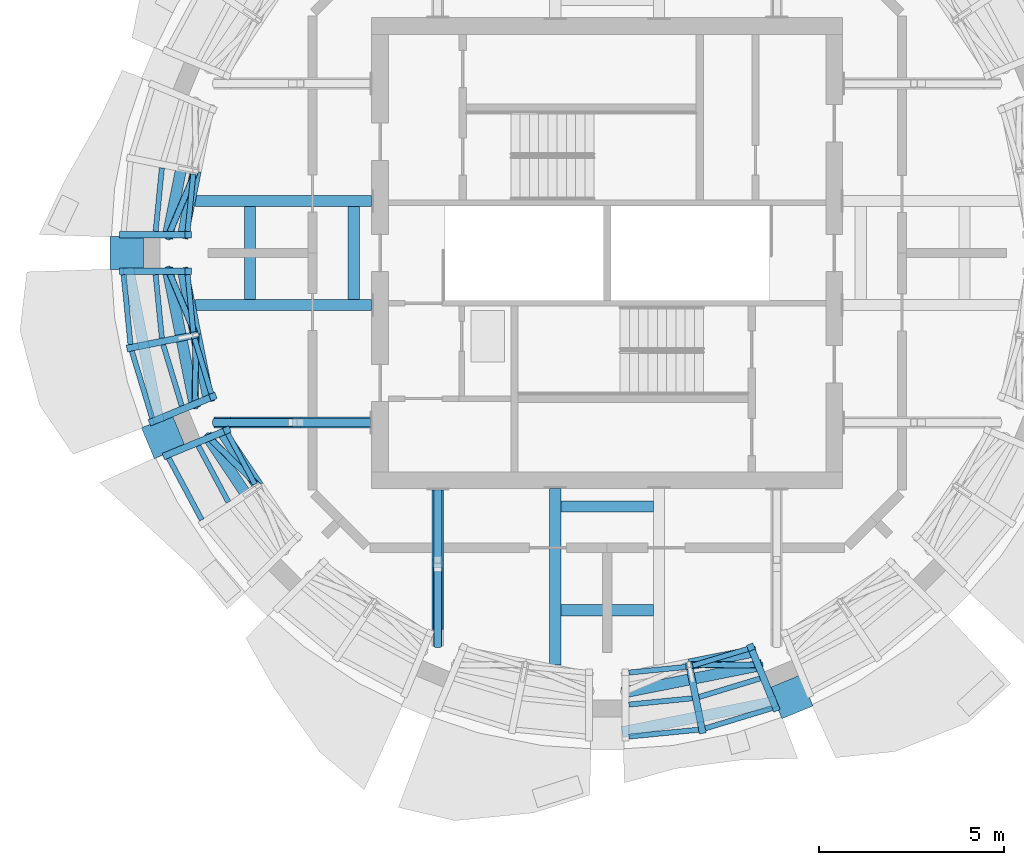
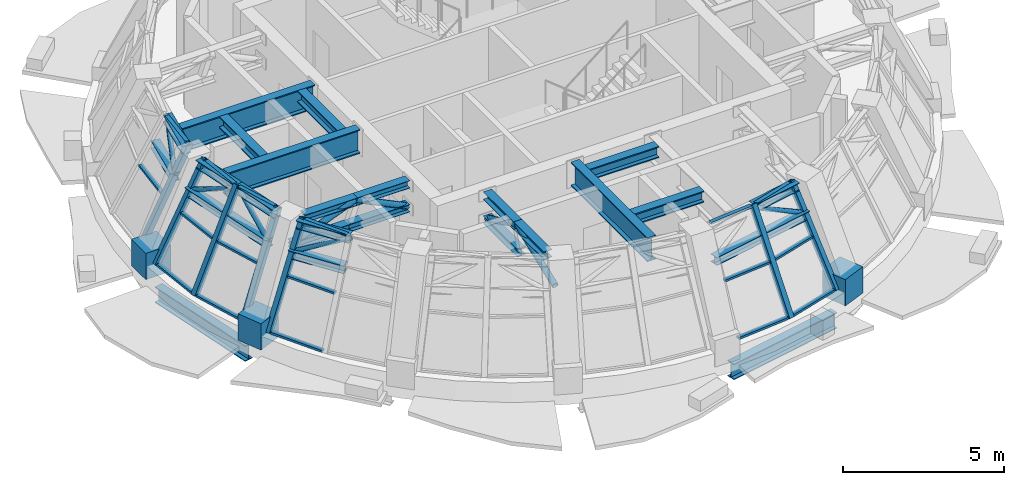
# One storey, part 2 of 12: 54 members, 9 beams, 4 elements without a shape of their own.
"""IFC4 building model written with IfcOpenShell, lengths in metres."""

from ifc_helpers import new_model, si_unit, direction, frame, origin, origin_2d, place, context, subcontext, project, spatial, rectangle, hollow_circle, i_section, extrude, material, material_profile, profile_set, type_object, element, aggregate, save


model = new_model("IFC4")

# Units and contexts
model_context = context("Model", 3, precision=1e-05, world=origin(), true_north=direction((0.0, 1.0)))
body_context = subcontext(model_context, "Body", "Model", "MODEL_VIEW")
ifc_project = project(units=[si_unit("LENGTHUNIT", "METRE"), si_unit("AREAUNIT", "SQUARE_METRE"), si_unit("VOLUMEUNIT", "CUBIC_METRE"), si_unit("PLANEANGLEUNIT", "RADIAN"), si_unit("MASSUNIT", "GRAM", prefix="KILO")], contexts=[model_context])

# Site, building, storey
site_placement = place(None, origin())
site = spatial("IfcSite", under=ifc_project, at=site_placement, CompositionType="ELEMENT")
building_placement = place(site_placement, origin())
building = spatial("IfcBuilding", under=site, at=building_placement, Name="Polderwave Tower", CompositionType="ELEMENT")
storey_placement = place(building_placement, frame((0.0, 0.0, 235.39990234375)))
storey = spatial("IfcBuildingStorey", under=building, at=storey_placement, Name="L64", CompositionType="ELEMENT", Elevation=235.39990234375)

# Members
ifc_material_1 = material(Name="Steel S460", Category="steel")
ifc_material_profile_1 = material_profile(ifc_material_1, i_section(OverallWidth=0.300048828125, OverallDepth=0.300048828125, WebThickness=0.010986328125, FlangeThickness=0.01904296875, at=origin_2d()), Name="HE 300 B")
ifc_profile_set_1 = profile_set([ifc_material_profile_1], Name="Steel S460")
member_type_1 = type_object("IfcMemberType", Name="BELT CHORD HE 300 B", PredefinedType="CHORD", material=ifc_profile_set_1)
member_1_placement = place(storey_placement, frame((-11.098388671875, 2.20751953125, 3.25), z_axis=(-0.195122538865, -0.980778871524, 0.0), x_axis=(0.980778871524, -0.195122538865, 0.0)))
element("IfcMember", 1, at=member_1_placement, inside=storey, type_object=member_type_1, Name="ST-BT-L64-07-TC2", PredefinedType="CHORD", context=body_context, shape_type="SweptSolid", body=[
    extrude(i_section(OverallWidth=0.300048828125, OverallDepth=0.300048828125, WebThickness=0.010986328125, FlangeThickness=0.01904296875, at=origin_2d()), origin(), (0.0, 0.0, 1.0), 1.843017578125),
])
member_2_placement = place(storey_placement, frame((-11.488037109375, 2.28515625, 2.35009765625), z_axis=(-0.195090163074, -0.980785312019, 0.0), x_axis=(0.980785312019, -0.195090163074, 0.0)))
element("IfcMember", 2, at=member_2_placement, inside=storey, type_object=member_type_1, Name="ST-BT-L64-07-BC2", PredefinedType="CHORD", context=body_context, shape_type="SweptSolid", body=[
    extrude(i_section(OverallWidth=0.300048828125, OverallDepth=0.300048828125, WebThickness=0.010986328125, FlangeThickness=0.01904296875, at=origin_2d()), origin(), (0.0, 0.0, 1.0), 1.922119140625),
])
member_3_placement = place(storey_placement, frame((-11.4580078125, -0.39990234375, 3.25), z_axis=(0.195122538865, -0.980778871524, 0.0), x_axis=(0.980778871524, 0.195122538865, 0.0)))
element("IfcMember", 3, at=member_3_placement, inside=storey, type_object=member_type_1, Name="ST-BT-L64-08-TC1", PredefinedType="CHORD", context=body_context, shape_type="SweptSolid", body=[
    extrude(i_section(OverallWidth=0.300048828125, OverallDepth=0.300048828125, WebThickness=0.010986328125, FlangeThickness=0.01904296875, at=origin_2d()), origin(), (0.0, 0.0, 1.0), 1.843017578125),
])
member_4_placement = place(storey_placement, frame((-11.863037109375, -0.39990234375, 2.35009765625), z_axis=(0.195090163074, -0.980785312019, 0.0), x_axis=(0.980785312019, 0.195090163074, 0.0)))
element("IfcMember", 4, at=member_4_placement, inside=storey, type_object=member_type_1, Name="ST-BT-L64-08-BC1", PredefinedType="CHORD", context=body_context, shape_type="SweptSolid", body=[
    extrude(i_section(OverallWidth=0.300048828125, OverallDepth=0.300048828125, WebThickness=0.010986328125, FlangeThickness=0.01904296875, at=origin_2d()), origin(), (0.0, 0.0, 1.0), 1.922119140625),
])
member_5_placement = place(storey_placement, frame((-11.098388671875, -2.20751953125, 3.25), z_axis=(0.195122538865, -0.980778871524, 0.0), x_axis=(0.980778871524, 0.195122538865, 0.0)))
element("IfcMember", 5, at=member_5_placement, inside=storey, type_object=member_type_1, Name="ST-BT-L64-08-TC2", PredefinedType="CHORD", context=body_context, shape_type="SweptSolid", body=[
    extrude(i_section(OverallWidth=0.300048828125, OverallDepth=0.300048828125, WebThickness=0.010986328125, FlangeThickness=0.01904296875, at=origin_2d()), origin(), (0.0, 0.0, 1.0), 1.843017578125),
])
member_6_placement = place(storey_placement, frame((-11.488037109375, -2.28515625, 2.35009765625), z_axis=(0.195114468684, -0.980780477023, 0.0), x_axis=(0.980780477023, 0.195114468684, 0.0)))
element("IfcMember", 6, at=member_6_placement, inside=storey, type_object=member_type_1, Name="ST-BT-L64-08-BC2", PredefinedType="CHORD", context=body_context, shape_type="SweptSolid", body=[
    extrude(i_section(OverallWidth=0.300048828125, OverallDepth=0.300048828125, WebThickness=0.010986328125, FlangeThickness=0.01904296875, at=origin_2d()), origin(), (0.0, 0.0, 1.0), 1.921875),
])
member_7_placement = place(storey_placement, frame((-10.4326171875, -4.75439453125, 3.25), z_axis=(0.555617021697, -0.831438347203, 0.0), x_axis=(0.831438347203, 0.555617021697, 0.0)))
element("IfcMember", 7, at=member_7_placement, inside=storey, type_object=member_type_1, Name="ST-BT-L64-09-TC1", PredefinedType="CHORD", context=body_context, shape_type="SweptSolid", body=[
    extrude(i_section(OverallWidth=0.300048828125, OverallDepth=0.300048828125, WebThickness=0.010986328125, FlangeThickness=0.01904296875, at=origin_2d()), origin(), (0.0, 0.0, 1.0), 1.8427734375),
])
for number, where, z_axis, x_axis, name in (
    (8, (-10.806884765625, -4.9091796875, 2.35009765625), (0.555579245802, -0.831463590083, 0.0), (0.831463590083, 0.555579245802, 0.0), "ST-BT-L64-09-BC1"),
    (9, (0.39990234375, -11.863037109375, 2.35009765625), (0.980785312019, 0.195090163074, 0.0), (-0.195090163074, 0.980785312019, 0.0), "ST-BT-L64-12-BC1"),
):
    element("IfcMember", number, at=place(storey_placement, frame(where, z_axis=z_axis, x_axis=x_axis)), inside=storey, type_object=member_type_1, Name=name, PredefinedType="CHORD", context=body_context, shape_type="SweptSolid", body=[
        extrude(i_section(OverallWidth=0.300048828125, OverallDepth=0.300048828125, WebThickness=0.010986328125, FlangeThickness=0.01904296875, at=origin_2d()), origin(), (0.0, 0.0, 1.0), 1.922119140625),
    ])
member_8_placement = place(storey_placement, frame((2.20751953125, -11.098388671875, 3.25), z_axis=(0.980778871524, 0.195122538865, 0.0), x_axis=(-0.195122538865, 0.980778871524, 0.0)))
element("IfcMember", 10, at=member_8_placement, inside=storey, type_object=member_type_1, Name="ST-BT-L64-12-TC2", PredefinedType="CHORD", context=body_context, shape_type="SweptSolid", body=[
    extrude(i_section(OverallWidth=0.300048828125, OverallDepth=0.300048828125, WebThickness=0.010986328125, FlangeThickness=0.01904296875, at=origin_2d()), origin(), (0.0, 0.0, 1.0), 1.843017578125),
])
member_9_placement = place(storey_placement, frame((2.28515625, -11.488037109375, 2.35009765625), z_axis=(0.980780477023, 0.195114468684, 0.0), x_axis=(-0.195114468684, 0.980780477023, 0.0)))
element("IfcMember", 11, at=member_9_placement, inside=storey, type_object=member_type_1, Name="ST-BT-L64-12-BC2", PredefinedType="CHORD", context=body_context, shape_type="SweptSolid", body=[
    extrude(i_section(OverallWidth=0.300048828125, OverallDepth=0.300048828125, WebThickness=0.010986328125, FlangeThickness=0.01904296875, at=origin_2d()), origin(), (0.0, 0.0, 1.0), 1.921875),
])
ifc_material_profile_2 = material_profile(ifc_material_1, hollow_circle(Radius=0.084228515625, WallThickness=0.008056640625, at=origin_2d()), Name="CHS 168.3x8")
ifc_profile_set_2 = profile_set([ifc_material_profile_2], Name="Steel S460")
member_type_2 = type_object("IfcMemberType", Name="BELT DIAGONAL CHS 168.3x8", PredefinedType="BRACE", material=ifc_profile_set_2)
for number, where, z_axis, x_axis, name in (
    (12, (-11.098388671875, 2.20751953125, 3.25), (-0.354140889164, -0.837183634537, -0.416782668409), (0.920987851483, -0.38959129536, 0.0), "ST-BT-L64-07-D2"),
    (13, (-11.863037109375, -0.39990234375, 2.35009765625), (0.354140889164, -0.837183634537, 0.416782668409), (0.920987851483, 0.38959129536, 0.0), "ST-BT-L64-08-D1"),
    (14, (-11.098388671875, -2.20751953125, 3.25), (-0.006784287361, -0.908981434905, -0.416781386872), (0.99997214839, -0.007463407004, 0.0), "ST-BT-L64-08-D2"),
    (15, (-10.806884765625, -4.9091796875, 2.35009765625), (0.647553721279, -0.637942744099, 0.416777198644), (0.701800503553, 0.71237353489, 0.0), "ST-BT-L64-09-D1"),
    (16, (2.20751953125, -11.098388671875, 3.25), (0.908981434905, -0.006784287361, -0.416781386872), (0.007463407004, 0.99997214839, 0.0), "ST-BT-L64-12-D2"),
):
    element("IfcMember", number, at=place(storey_placement, frame(where, z_axis=z_axis, x_axis=x_axis)), inside=storey, type_object=member_type_2, Name=name, PredefinedType="BRACE", context=body_context, shape_type="SweptSolid", body=[
        extrude(hollow_circle(Radius=0.084228515625, WallThickness=0.008056640625, at=origin_2d()), origin(), (0.0, 0.0, 1.0), 2.1591796875),
    ])

# Curtain wall, member
ifc_material_2 = material(Name="Aluminium 6063-T6 and glass", Category="aluminium")
curtain_wall_type = type_object("IfcCurtainWallType", Name="Crown facet glazing wall", PredefinedType="NOTDEFINED", material=ifc_material_2)
curtain_wall_1_placement = place(storey_placement, origin())
curtain_wall_1 = element("IfcCurtainWall", 17, at=curtain_wall_1_placement, inside=storey, type_object=curtain_wall_type, Name="CROWN CW6 L64 07", PredefinedType="NOTDEFINED")
ifc_material_3 = material(Name="Aluminium 6063-T6", Category="aluminium")
ifc_material_profile_3 = material_profile(ifc_material_3, rectangle(XDim=0.18505859375, YDim=0.199951171875, at=origin_2d()), Name="AL 185x200")
ifc_profile_set_3 = profile_set([ifc_material_profile_3], Name="Aluminium 6063-T6")
member_type_3 = type_object("IfcMemberType", Name="Crown facet glazing mullion 185x200", PredefinedType="MULLION", material=ifc_profile_set_3)
member_10_placement = place(storey_placement, frame((-13.071044921875, 0.4921875, 0.0), z_axis=(0.461150112865, 0.0, 0.887322136208), x_axis=(0.0, 1.0, 0.0)))
member_10 = element("IfcMember", 18, at=member_10_placement, type_object=member_type_3, Name="CW6 mullion 3", PredefinedType="MULLION", context=body_context, shape_type="SweptSolid", body=[
    extrude(rectangle(XDim=0.18505859375, YDim=0.199951171875, at=origin_2d()), origin(), (0.0, 0.0, 1.0), 3.83203125),
])

# Curtain wall, members
curtain_wall_2_placement = place(storey_placement, origin())
curtain_wall_2 = element("IfcCurtainWall", 19, at=curtain_wall_2_placement, inside=storey, type_object=curtain_wall_type, Name="CROWN CW6 L64 08", PredefinedType="NOTDEFINED")
member_11_placement = place(storey_placement, frame((-13.071044921875, -0.4921875, 0.0), z_axis=(0.461150112865, 0.0, 0.887322136208), x_axis=(0.0, 1.0, 0.0)))
member_11 = element("IfcMember", 20, at=member_11_placement, type_object=member_type_3, Name="CW6 mullion 1", PredefinedType="MULLION", context=body_context, shape_type="SweptSolid", body=[
    extrude(rectangle(XDim=0.18505859375, YDim=0.199951171875, at=origin_2d()), origin(), (0.0, 0.0, 1.0), 3.83203125),
])
member_12_placement = place(storey_placement, frame((-12.867919921875, -2.56005859375, 0.0), z_axis=(0.452442689368, 0.090017110684, 0.88723871231), x_axis=(-0.195133411565, 0.980776708375, 0.0)))
member_12 = element("IfcMember", 21, at=member_12_placement, type_object=member_type_3, Name="CW6 mullion 2", PredefinedType="MULLION", context=body_context, shape_type="SweptSolid", body=[
    extrude(rectangle(XDim=0.18505859375, YDim=0.199951171875, at=origin_2d()), origin(), (0.0, 0.0, 1.0), 3.832275390625),
])
member_13_placement = place(storey_placement, frame((-12.264892578125, -4.547607421875, 0.0), z_axis=(0.426153481267, 0.176411868684, 0.887283530215), x_axis=(-0.382485993567, 0.923961289625, 0.0)))
member_13 = element("IfcMember", 22, at=member_13_placement, type_object=member_type_3, Name="CW6 mullion 3", PredefinedType="MULLION", context=body_context, shape_type="SweptSolid", body=[
    extrude(rectangle(XDim=0.18505859375, YDim=0.199951171875, at=origin_2d()), origin(), (0.0, 0.0, 1.0), 3.83203125),
])

# Curtain wall, member
curtain_wall_3_placement = place(storey_placement, origin())
curtain_wall_3 = element("IfcCurtainWall", 23, at=curtain_wall_3_placement, inside=storey, type_object=curtain_wall_type, Name="CROWN CW6 L64 09", PredefinedType="NOTDEFINED")
member_14_placement = place(storey_placement, frame((-11.888427734375, -5.45654296875, 0.0), z_axis=(0.426153481267, 0.176411868684, 0.887283530215), x_axis=(-0.382485993567, 0.923961289625, 0.0)))
member_14 = element("IfcMember", 24, at=member_14_placement, type_object=member_type_3, Name="CW6 mullion 1", PredefinedType="MULLION", context=body_context, shape_type="SweptSolid", body=[
    extrude(rectangle(XDim=0.18505859375, YDim=0.199951171875, at=origin_2d()), origin(), (0.0, 0.0, 1.0), 3.83203125),
])

# Curtain wall, members
curtain_wall_4_placement = place(storey_placement, origin())
curtain_wall_4 = element("IfcCurtainWall", 25, at=curtain_wall_4_placement, inside=storey, type_object=curtain_wall_type, Name="CROWN CW6 L64 12", PredefinedType="NOTDEFINED")
member_15_placement = place(storey_placement, frame((2.56005859375, -12.867919921875, 0.0), z_axis=(-0.090017110684, 0.452442689368, 0.88723871231), x_axis=(-0.980776708375, -0.195133411565, 0.0)))
member_15 = element("IfcMember", 26, at=member_15_placement, type_object=member_type_3, Name="CW6 mullion 2", PredefinedType="MULLION", context=body_context, shape_type="SweptSolid", body=[
    extrude(rectangle(XDim=0.18505859375, YDim=0.199951171875, at=origin_2d()), origin(), (0.0, 0.0, 1.0), 3.832275390625),
])
member_16_placement = place(storey_placement, frame((4.547607421875, -12.264892578125, 0.0), z_axis=(-0.176411868684, 0.426153481267, 0.887283530215), x_axis=(-0.923961289625, -0.382485993567, 0.0)))
member_16 = element("IfcMember", 27, at=member_16_placement, type_object=member_type_3, Name="CW6 mullion 3", PredefinedType="MULLION", context=body_context, shape_type="SweptSolid", body=[
    extrude(rectangle(XDim=0.18505859375, YDim=0.199951171875, at=origin_2d()), origin(), (0.0, 0.0, 1.0), 3.83203125),
])

# Member
ifc_material_profile_4 = material_profile(ifc_material_3, rectangle(XDim=0.139892578125, YDim=0.080078125, at=origin_2d()), Name="AL 80x140")
ifc_profile_set_4 = profile_set([ifc_material_profile_4], Name="Aluminium 6063-T6")
member_type_4 = type_object("IfcMemberType", Name="Crown facet glazing transom 80x140", PredefinedType="USERDEFINED", material=ifc_profile_set_4)
member_17_placement = place(storey_placement, frame((-12.010009765625, 2.29541015625, 1.7001953125), z_axis=(-0.097957420635, -0.99519060674, 0.0), x_axis=(0.99519060674, -0.097957420635, 0.0)))
member_17 = element("IfcMember", 28, at=member_17_placement, type_object=member_type_4, Name="CW6 transom 5", ObjectType="TRANSOM", PredefinedType="USERDEFINED", context=body_context, shape_type="SweptSolid", body=[
    extrude(rectangle(XDim=0.139892578125, YDim=0.080078125, at=origin_2d()), origin(), (0.0, 0.0, 1.0), 1.7197265625),
])

member_18_placement = place(storey_placement, frame((-11.163330078125, 2.126953125, 3.360107421875), z_axis=(-0.098256415474, -0.995161131083, 0.0), x_axis=(0.995161131083, -0.098256415474, 0.0)))
member_18 = element("IfcMember", 29, at=member_18_placement, type_object=member_type_4, Name="CW6 transom 6", ObjectType="TRANSOM", PredefinedType="USERDEFINED", context=body_context, shape_type="SweptSolid", body=[
    extrude(rectangle(XDim=0.139892578125, YDim=0.080078125, at=origin_2d()), origin(), (0.0, 0.0, 1.0), 1.550537109375),
])

aggregate(curtain_wall_1, [member_10, member_17, member_18])

member_19_placement = place(storey_placement, frame((-13.041015625, -0.583984375, 0.0400390625), z_axis=(0.097583974986, -0.995227294554, 0.0), x_axis=(0.995227294554, 0.097583974986, 0.0)))
member_19 = element("IfcMember", 30, at=member_19_placement, type_object=member_type_4, Name="CW6 transom 1", ObjectType="TRANSOM", PredefinedType="USERDEFINED", context=body_context, shape_type="SweptSolid", body=[
    extrude(rectangle(XDim=0.139892578125, YDim=0.080078125, at=origin_2d()), origin(), (0.0, 0.0, 1.0), 1.888916015625),
])

member_20_placement = place(storey_placement, frame((-12.178466796875, -0.583984375, 1.7001953125), z_axis=(0.097957420635, -0.99519060674, 0.0), x_axis=(0.99519060674, 0.097957420635, 0.0)))
member_20 = element("IfcMember", 31, at=member_20_placement, type_object=member_type_4, Name="CW6 transom 2", ObjectType="TRANSOM", PredefinedType="USERDEFINED", context=body_context, shape_type="SweptSolid", body=[
    extrude(rectangle(XDim=0.139892578125, YDim=0.080078125, at=origin_2d()), origin(), (0.0, 0.0, 1.0), 1.7197265625),
])

member_21_placement = place(storey_placement, frame((-11.315673828125, -0.583984375, 3.360107421875), z_axis=(0.098256415474, -0.995161131083, 0.0), x_axis=(0.995161131083, 0.098256415474, 0.0)))
member_21 = element("IfcMember", 32, at=member_21_placement, type_object=member_type_4, Name="CW6 transom 3", ObjectType="TRANSOM", PredefinedType="USERDEFINED", context=body_context, shape_type="SweptSolid", body=[
    extrude(rectangle(XDim=0.139892578125, YDim=0.080078125, at=origin_2d()), origin(), (0.0, 0.0, 1.0), 1.550537109375),
])

member_22_placement = place(storey_placement, frame((-12.82080078125, -2.64453125, 0.0400390625), z_axis=(0.290466801867, -0.956885069908, 0.0), x_axis=(0.956885069908, 0.290466801867, 0.0)))
member_22 = element("IfcMember", 33, at=member_22_placement, type_object=member_type_4, Name="CW6 transom 4", ObjectType="TRANSOM", PredefinedType="USERDEFINED", context=body_context, shape_type="SweptSolid", body=[
    extrude(rectangle(XDim=0.139892578125, YDim=0.080078125, at=origin_2d()), origin(), (0.0, 0.0, 1.0), 1.8876953125),
])

member_23_placement = place(storey_placement, frame((-11.97412109375, -2.47607421875, 1.7001953125), z_axis=(0.290291185896, -0.956938361333, 0.0), x_axis=(0.956938361333, 0.290291185896, 0.0)))
member_23 = element("IfcMember", 34, at=member_23_placement, type_object=member_type_4, Name="CW6 transom 5", ObjectType="TRANSOM", PredefinedType="USERDEFINED", context=body_context, shape_type="SweptSolid", body=[
    extrude(rectangle(XDim=0.139892578125, YDim=0.080078125, at=origin_2d()), origin(), (0.0, 0.0, 1.0), 1.718994140625),
])

member_24_placement = place(storey_placement, frame((-11.12744140625, -2.3076171875, 3.360107421875), z_axis=(0.289976793855, -0.957033677059, 0.0), x_axis=(0.957033677059, 0.289976793855, 0.0)))
member_24 = element("IfcMember", 35, at=member_24_placement, type_object=member_type_4, Name="CW6 transom 6", ObjectType="TRANSOM", PredefinedType="USERDEFINED", context=body_context, shape_type="SweptSolid", body=[
    extrude(rectangle(XDim=0.139892578125, YDim=0.080078125, at=origin_2d()), origin(), (0.0, 0.0, 1.0), 1.550048828125),
])

aggregate(curtain_wall_2, [member_11, member_12, member_13, member_19, member_20, member_21, member_22, member_23, member_24])

member_25_placement = place(storey_placement, frame((-11.82568359375, -5.5302734375, 0.0400390625), z_axis=(0.471453547144, -0.881890896248, 0.0), x_axis=(0.881890896248, 0.471453547144, 0.0)))
member_25 = element("IfcMember", 36, at=member_25_placement, type_object=member_type_4, Name="CW6 transom 1", ObjectType="TRANSOM", PredefinedType="USERDEFINED", context=body_context, shape_type="SweptSolid", body=[
    extrude(rectangle(XDim=0.139892578125, YDim=0.080078125, at=origin_2d()), origin(), (0.0, 0.0, 1.0), 1.888671875),
])

member_26_placement = place(storey_placement, frame((-11.0283203125, -5.2001953125, 1.7001953125), z_axis=(0.471582920737, -0.881821721704, 0.0), x_axis=(0.881821721704, 0.471582920737, 0.0)))
member_26 = element("IfcMember", 37, at=member_26_placement, type_object=member_type_4, Name="CW6 transom 2", ObjectType="TRANSOM", PredefinedType="USERDEFINED", context=body_context, shape_type="SweptSolid", body=[
    extrude(rectangle(XDim=0.139892578125, YDim=0.080078125, at=origin_2d()), origin(), (0.0, 0.0, 1.0), 1.71923828125),
])

member_27_placement = place(storey_placement, frame((-10.23095703125, -4.8701171875, 3.360107421875), z_axis=(0.471552568485, -0.881837952889, 0.0), x_axis=(0.881837952889, 0.471552568485, 0.0)))
member_27 = element("IfcMember", 38, at=member_27_placement, type_object=member_type_4, Name="CW6 transom 3", ObjectType="TRANSOM", PredefinedType="USERDEFINED", context=body_context, shape_type="SweptSolid", body=[
    extrude(rectangle(XDim=0.139892578125, YDim=0.080078125, at=origin_2d()), origin(), (0.0, 0.0, 1.0), 1.550048828125),
])

aggregate(curtain_wall_3, [member_14, member_25, member_26, member_27])

member_28_placement = place(storey_placement, frame((0.583984375, -13.041015625, 0.0400390625), z_axis=(0.995227294554, 0.097583974986, 0.0), x_axis=(-0.097583974986, 0.995227294554, 0.0)))
member_28 = element("IfcMember", 39, at=member_28_placement, type_object=member_type_4, Name="CW6 transom 1", ObjectType="TRANSOM", PredefinedType="USERDEFINED", context=body_context, shape_type="SweptSolid", body=[
    extrude(rectangle(XDim=0.139892578125, YDim=0.080078125, at=origin_2d()), origin(), (0.0, 0.0, 1.0), 1.888916015625),
])

member_29_placement = place(storey_placement, frame((0.583984375, -12.178466796875, 1.7001953125), z_axis=(0.99519060674, 0.097957420635, 0.0), x_axis=(-0.097957420635, 0.99519060674, 0.0)))
member_29 = element("IfcMember", 40, at=member_29_placement, type_object=member_type_4, Name="CW6 transom 2", ObjectType="TRANSOM", PredefinedType="USERDEFINED", context=body_context, shape_type="SweptSolid", body=[
    extrude(rectangle(XDim=0.139892578125, YDim=0.080078125, at=origin_2d()), origin(), (0.0, 0.0, 1.0), 1.7197265625),
])

member_30_placement = place(storey_placement, frame((0.583984375, -11.315673828125, 3.360107421875), z_axis=(0.995161131083, 0.098256415474, 0.0), x_axis=(-0.098256415474, 0.995161131083, 0.0)))
member_30 = element("IfcMember", 41, at=member_30_placement, type_object=member_type_4, Name="CW6 transom 3", ObjectType="TRANSOM", PredefinedType="USERDEFINED", context=body_context, shape_type="SweptSolid", body=[
    extrude(rectangle(XDim=0.139892578125, YDim=0.080078125, at=origin_2d()), origin(), (0.0, 0.0, 1.0), 1.550537109375),
])

member_31_placement = place(storey_placement, frame((2.64453125, -12.82080078125, 0.0400390625), z_axis=(0.956885069908, 0.290466801867, 0.0), x_axis=(-0.290466801867, 0.956885069908, 0.0)))
member_31 = element("IfcMember", 42, at=member_31_placement, type_object=member_type_4, Name="CW6 transom 4", ObjectType="TRANSOM", PredefinedType="USERDEFINED", context=body_context, shape_type="SweptSolid", body=[
    extrude(rectangle(XDim=0.139892578125, YDim=0.080078125, at=origin_2d()), origin(), (0.0, 0.0, 1.0), 1.8876953125),
])

member_32_placement = place(storey_placement, frame((2.47607421875, -11.97412109375, 1.7001953125), z_axis=(0.956938361333, 0.290291185896, 0.0), x_axis=(-0.290291185896, 0.956938361333, 0.0)))
member_32 = element("IfcMember", 43, at=member_32_placement, type_object=member_type_4, Name="CW6 transom 5", ObjectType="TRANSOM", PredefinedType="USERDEFINED", context=body_context, shape_type="SweptSolid", body=[
    extrude(rectangle(XDim=0.139892578125, YDim=0.080078125, at=origin_2d()), origin(), (0.0, 0.0, 1.0), 1.718994140625),
])

member_33_placement = place(storey_placement, frame((2.3076171875, -11.12744140625, 3.360107421875), z_axis=(0.957033677059, 0.289976793855, 0.0), x_axis=(-0.289976793855, 0.957033677059, 0.0)))
member_33 = element("IfcMember", 44, at=member_33_placement, type_object=member_type_4, Name="CW6 transom 6", ObjectType="TRANSOM", PredefinedType="USERDEFINED", context=body_context, shape_type="SweptSolid", body=[
    extrude(rectangle(XDim=0.139892578125, YDim=0.080078125, at=origin_2d()), origin(), (0.0, 0.0, 1.0), 1.550048828125),
])

aggregate(curtain_wall_4, [member_15, member_16, member_28, member_29, member_30, member_31, member_32, member_33])

# Beams
ifc_material_profile_5 = material_profile(ifc_material_1, i_section(OverallWidth=0.302001953125, OverallDepth=0.909912109375, WebThickness=0.02099609375, FlangeThickness=0.0400390625, at=origin_2d()), Name="HE 900 M")
ifc_profile_set_5 = profile_set([ifc_material_profile_5], Name="Steel S460")
beam_type_1 = type_object("IfcBeamType", Name="DAMPER SUPPORT BEAM HE 900 M", PredefinedType="BEAM", material=ifc_profile_set_5)
for number, where, z_axis, x_axis, name in (
    (45, (-6.35009765625, 1.39990234375, 2.945068359375), (-1.0, 0.0, 0.0), (0.0, -1.0, 0.0), "Damper support beam 3.1"),
    (46, (-6.35009765625, -1.39990234375, 2.945068359375), (-1.0, 0.0, 0.0), (0.0, -1.0, 0.0), "Damper support beam 3.2"),
    (47, (-1.39990234375, -6.35009765625, 2.945068359375), (0.0, -1.0, 0.0), (1.0, 0.0, 0.0), "Damper support beam 4.1"),
):
    element("IfcBeam", number, at=place(storey_placement, frame(where, z_axis=z_axis, x_axis=x_axis)), inside=storey, type_object=beam_type_1, Name=name, PredefinedType="BEAM", context=body_context, shape_type="SweptSolid", body=[
        extrude(i_section(OverallWidth=0.302001953125, OverallDepth=0.909912109375, WebThickness=0.02099609375, FlangeThickness=0.0400390625, at=origin_2d()), origin(), (0.0, 0.0, 1.0), 4.756103515625),
    ])
ifc_material_profile_6 = material_profile(ifc_material_1, i_section(OverallWidth=0.306884765625, OverallDepth=0.431884765625, WebThickness=0.02099609375, FlangeThickness=0.0400390625, at=origin_2d()), Name="HE 400 M")
ifc_profile_set_6 = profile_set([ifc_material_profile_6], Name="Steel S460")
beam_type_2 = type_object("IfcBeamType", Name="DAMPER TIE BEAM HE 400 M", PredefinedType="BEAM", material=ifc_profile_set_6)
for number, where, z_axis, x_axis, name in (
    (48, (-6.8349609375, 1.2490234375, 3.18408203125), (0.0, -1.0, 0.0), (1.0, 0.0, 0.0), "Damper tie beam 3.1"),
    (49, (-9.635009765625, 1.2490234375, 3.18408203125), (0.0, -1.0, 0.0), (1.0, 0.0, 0.0), "Damper tie beam 3.2"),
    (50, (-1.2490234375, -6.8349609375, 3.18408203125), (1.0, 0.0, 0.0), (0.0, 1.0, 0.0), "Damper tie beam 4.1"),
    (51, (-1.2490234375, -9.635009765625, 3.18408203125), (1.0, 0.0, 0.0), (0.0, 1.0, 0.0), "Damper tie beam 4.2"),
):
    element("IfcBeam", number, at=place(storey_placement, frame(where, z_axis=z_axis, x_axis=x_axis)), inside=storey, type_object=beam_type_2, Name=name, PredefinedType="BEAM", context=body_context, shape_type="SweptSolid", body=[
        extrude(i_section(OverallWidth=0.306884765625, OverallDepth=0.431884765625, WebThickness=0.02099609375, FlangeThickness=0.0400390625, at=origin_2d()), origin(), (0.0, 0.0, 1.0), 2.498046875),
    ])

# Members
ifc_material_profile_7 = material_profile(ifc_material_1, i_section(OverallWidth=0.300048828125, OverallDepth=0.2900390625, WebThickness=0.008544921875, FlangeThickness=0.013916015625, at=origin_2d()), Name="HE 300 A")
ifc_profile_set_7 = profile_set([ifc_material_profile_7], Name="Steel S460")
member_type_5 = type_object("IfcMemberType", Name="OUTRIGGER CHORD HE 300 A", PredefinedType="CHORD", material=ifc_profile_set_7)
member_34_placement = place(storey_placement, frame((-6.389892578125, -4.571044921875, 3.255126953125), z_axis=(-1.0, 0.0, 0.0), x_axis=(0.0, -1.0, 0.0)))
element("IfcMember", 52, at=member_34_placement, inside=storey, type_object=member_type_5, Name="ST-OR-L64-09-TC1", PredefinedType="CHORD", context=body_context, shape_type="SweptSolid", body=[
    extrude(i_section(OverallWidth=0.300048828125, OverallDepth=0.2900390625, WebThickness=0.008544921875, FlangeThickness=0.013916015625, at=origin_2d()), origin(), (0.0, 0.0, 1.0), 1.884765625),
])
member_35_placement = place(storey_placement, frame((-6.389892578125, -4.571044921875, 2.34521484375), z_axis=(-1.0, 0.0, 0.0), x_axis=(0.0, -1.0, 0.0)))
element("IfcMember", 53, at=member_35_placement, inside=storey, type_object=member_type_5, Name="ST-OR-L64-09-BC1", PredefinedType="CHORD", context=body_context, shape_type="SweptSolid", body=[
    extrude(i_section(OverallWidth=0.300048828125, OverallDepth=0.2900390625, WebThickness=0.008544921875, FlangeThickness=0.013916015625, at=origin_2d()), origin(), (0.0, 0.0, 1.0), 2.1064453125),
])
member_36_placement = place(storey_placement, frame((-8.274658203125, -4.571044921875, 3.255126953125), z_axis=(-1.0, 0.0, 0.0), x_axis=(0.0, -1.0, 0.0)))
element("IfcMember", 54, at=member_36_placement, inside=storey, type_object=member_type_5, Name="ST-OR-L64-09-TC2", PredefinedType="CHORD", context=body_context, shape_type="SweptSolid", body=[
    extrude(i_section(OverallWidth=0.300048828125, OverallDepth=0.2900390625, WebThickness=0.008544921875, FlangeThickness=0.013916015625, at=origin_2d()), origin(), (0.0, 0.0, 1.0), 1.884765625),
])
member_37_placement = place(storey_placement, frame((-8.496337890625, -4.571044921875, 2.34521484375), z_axis=(-1.0, 0.0, 0.0), x_axis=(0.0, -1.0, 0.0)))
element("IfcMember", 55, at=member_37_placement, inside=storey, type_object=member_type_5, Name="ST-OR-L64-09-BC2", PredefinedType="CHORD", context=body_context, shape_type="SweptSolid", body=[
    extrude(i_section(OverallWidth=0.300048828125, OverallDepth=0.2900390625, WebThickness=0.008544921875, FlangeThickness=0.013916015625, at=origin_2d()), origin(), (0.0, 0.0, 1.0), 2.106201171875),
])
member_38_placement = place(storey_placement, frame((-4.571044921875, -6.389892578125, 3.255126953125), z_axis=(0.0, -1.0, 0.0), x_axis=(1.0, 0.0, 0.0)))
element("IfcMember", 56, at=member_38_placement, inside=storey, type_object=member_type_5, Name="ST-OR-L64-11-TC1", PredefinedType="CHORD", context=body_context, shape_type="SweptSolid", body=[
    extrude(i_section(OverallWidth=0.300048828125, OverallDepth=0.2900390625, WebThickness=0.008544921875, FlangeThickness=0.013916015625, at=origin_2d()), origin(), (0.0, 0.0, 1.0), 1.884765625),
])
member_39_placement = place(storey_placement, frame((-4.571044921875, -6.389892578125, 2.34521484375), z_axis=(0.0, -1.0, 0.0), x_axis=(1.0, 0.0, 0.0)))
element("IfcMember", 57, at=member_39_placement, inside=storey, type_object=member_type_5, Name="ST-OR-L64-11-BC1", PredefinedType="CHORD", context=body_context, shape_type="SweptSolid", body=[
    extrude(i_section(OverallWidth=0.300048828125, OverallDepth=0.2900390625, WebThickness=0.008544921875, FlangeThickness=0.013916015625, at=origin_2d()), origin(), (0.0, 0.0, 1.0), 2.1064453125),
])
member_40_placement = place(storey_placement, frame((-4.571044921875, -8.274658203125, 3.255126953125), z_axis=(0.0, -1.0, 0.0), x_axis=(1.0, 0.0, 0.0)))
element("IfcMember", 58, at=member_40_placement, inside=storey, type_object=member_type_5, Name="ST-OR-L64-11-TC2", PredefinedType="CHORD", context=body_context, shape_type="SweptSolid", body=[
    extrude(i_section(OverallWidth=0.300048828125, OverallDepth=0.2900390625, WebThickness=0.008544921875, FlangeThickness=0.013916015625, at=origin_2d()), origin(), (0.0, 0.0, 1.0), 1.884765625),
])
ifc_material_profile_8 = material_profile(ifc_material_1, hollow_circle(Radius=0.109619140625, WallThickness=0.010009765625, at=origin_2d()), Name="CHS 219.1x10")
ifc_profile_set_8 = profile_set([ifc_material_profile_8], Name="Steel S460")
member_type_6 = type_object("IfcMemberType", Name="OUTRIGGER DIAGONAL CHS 219.1x10", PredefinedType="BRACE", material=ifc_profile_set_8)
member_41_placement = place(storey_placement, frame((-6.389892578125, -4.571044921875, 2.34521484375), z_axis=(-0.900546911771, 0.0, 0.434758852354), x_axis=(0.0, -1.0, 0.0)))
element("IfcMember", 59, at=member_41_placement, inside=storey, type_object=member_type_6, Name="ST-OR-L64-09-D1", PredefinedType="BRACE", context=body_context, shape_type="SweptSolid", body=[
    extrude(hollow_circle(Radius=0.109619140625, WallThickness=0.010009765625, at=origin_2d()), origin(), (0.0, 0.0, 1.0), 2.093017578125),
])
member_42_placement = place(storey_placement, frame((-8.274658203125, -4.571044921875, 3.255126953125), z_axis=(-0.931378186214, 0.0, -0.364053120086), x_axis=(0.0, -1.0, 0.0)))
element("IfcMember", 60, at=member_42_placement, inside=storey, type_object=member_type_6, Name="ST-OR-L64-09-D2", PredefinedType="BRACE", context=body_context, shape_type="SweptSolid", body=[
    extrude(hollow_circle(Radius=0.109619140625, WallThickness=0.010009765625, at=origin_2d()), origin(), (0.0, 0.0, 1.0), 2.49951171875),
])
member_43_placement = place(storey_placement, frame((-4.571044921875, -6.389892578125, 2.34521484375), z_axis=(0.0, -0.900546911771, 0.434758852354), x_axis=(1.0, 0.0, 0.0)))
element("IfcMember", 61, at=member_43_placement, inside=storey, type_object=member_type_6, Name="ST-OR-L64-11-D1", PredefinedType="BRACE", context=body_context, shape_type="SweptSolid", body=[
    extrude(hollow_circle(Radius=0.109619140625, WallThickness=0.010009765625, at=origin_2d()), origin(), (0.0, 0.0, 1.0), 2.093017578125),
])
member_44_placement = place(storey_placement, frame((-4.571044921875, -8.274658203125, 3.255126953125), z_axis=(0.0, -0.931378186214, -0.364053120086), x_axis=(1.0, 0.0, 0.0)))
element("IfcMember", 62, at=member_44_placement, inside=storey, type_object=member_type_6, Name="ST-OR-L64-11-D2", PredefinedType="BRACE", context=body_context, shape_type="SweptSolid", body=[
    extrude(hollow_circle(Radius=0.109619140625, WallThickness=0.010009765625, at=origin_2d()), origin(), (0.0, 0.0, 1.0), 2.49951171875),
])
ifc_material_4 = material(Name="Concrete C60/75", Category="concrete")
ifc_material_profile_9 = material_profile(ifc_material_4, rectangle(XDim=0.89990234375, YDim=0.89990234375, at=origin_2d()), Name="RC 900x900")
ifc_profile_set_9 = profile_set([ifc_material_profile_9], Name="Concrete C60/75")
member_type_7 = type_object("IfcMemberType", Name="RC NODE 900x900 C60/75", PredefinedType="POST", material=ifc_profile_set_9)
for number, where, z_axis, x_axis, name in (
    (63, (-12.958984375, 0.0, -0.5), (0.0, 0.0, 1.0), (-1.0, 0.0, 0.0), "Ring column node 09"),
    (64, (-11.972412109375, -4.959228515625, -0.5), (0.0, 0.0, 1.0), (-0.923879532511, -0.382683432365, 0.0), "Ring column node 10"),
    (65, (4.959228515625, -11.972412109375, -0.5), (0.0, 0.0, 1.0), (0.382683432365, -0.923879532511, 0.0), "Ring column node 14"),
):
    element("IfcMember", number, at=place(storey_placement, frame(where, z_axis=z_axis, x_axis=x_axis)), inside=storey, type_object=member_type_7, Name=name, PredefinedType="POST", context=body_context, shape_type="SweptSolid", body=[
        extrude(rectangle(XDim=0.89990234375, YDim=0.89990234375, at=origin_2d()), origin(), (0.0, 0.0, 1.0), 1.0),
    ])

# Beams
ifc_material_5 = material(Name="Steel S355", Category="steel")
ifc_material_profile_10 = material_profile(ifc_material_5, i_section(OverallWidth=0.300048828125, OverallDepth=0.60009765625, WebThickness=0.015380859375, FlangeThickness=0.030029296875, at=origin_2d()), Name="HE 600 B")
ifc_profile_set_10 = profile_set([ifc_material_profile_10], Name="Steel S355")
beam_type_3 = type_object("IfcBeamType", Name="RING BEAM HE 600 B", PredefinedType="BEAM", material=ifc_profile_set_10)
for number, where, z_axis, x_axis, name in (
    (66, (-12.92041015625, -0.39990234375, -1.199951171875), (0.195057198118, -0.980791868575, 0.0), (0.980791868575, 0.195057198118, 0.0), "ST-RB-L64-08"),
    (67, (0.39990234375, -12.92041015625, -1.199951171875), (0.980791868575, 0.195057198118, 0.0), (-0.195057198118, 0.980791868575, 0.0), "ST-RB-L64-12"),
):
    element("IfcBeam", number, at=place(storey_placement, frame(where, z_axis=z_axis, x_axis=x_axis)), inside=storey, type_object=beam_type_3, Name=name, PredefinedType="BEAM", context=body_context, shape_type="SweptSolid", body=[
        extrude(i_section(OverallWidth=0.300048828125, OverallDepth=0.60009765625, WebThickness=0.015380859375, FlangeThickness=0.030029296875, at=origin_2d()), origin(), (0.0, 0.0, 1.0), 4.2568359375),
    ])

save(model, "model.ifc")
